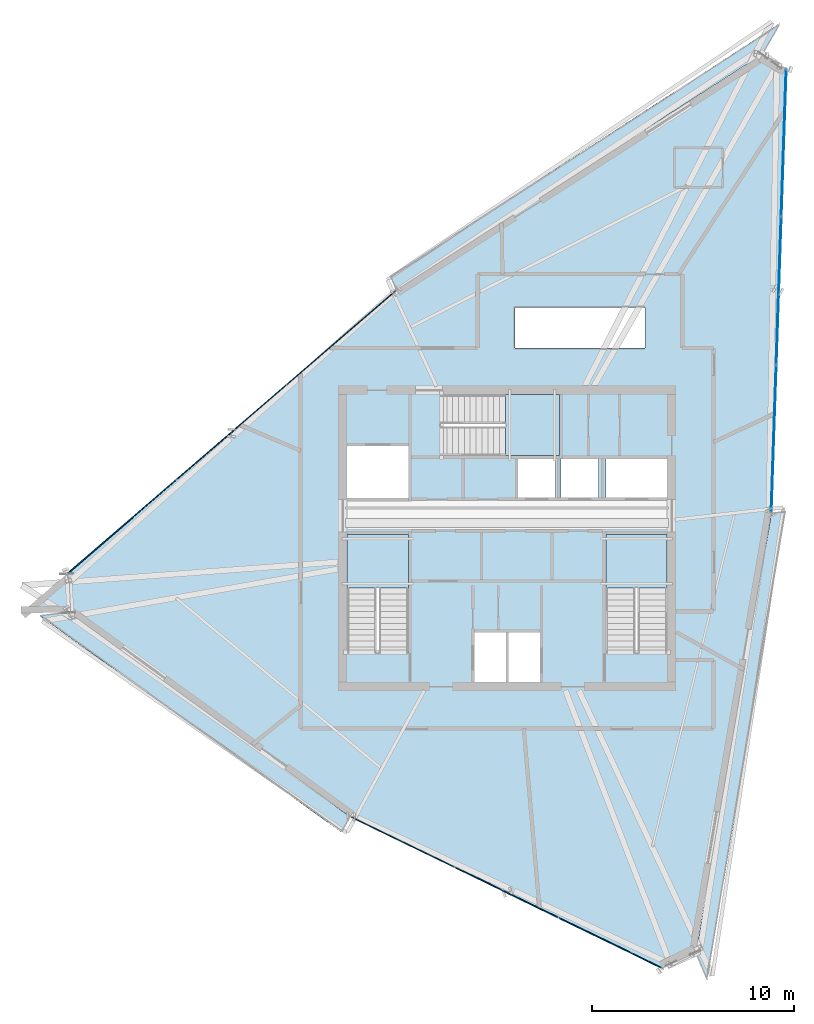
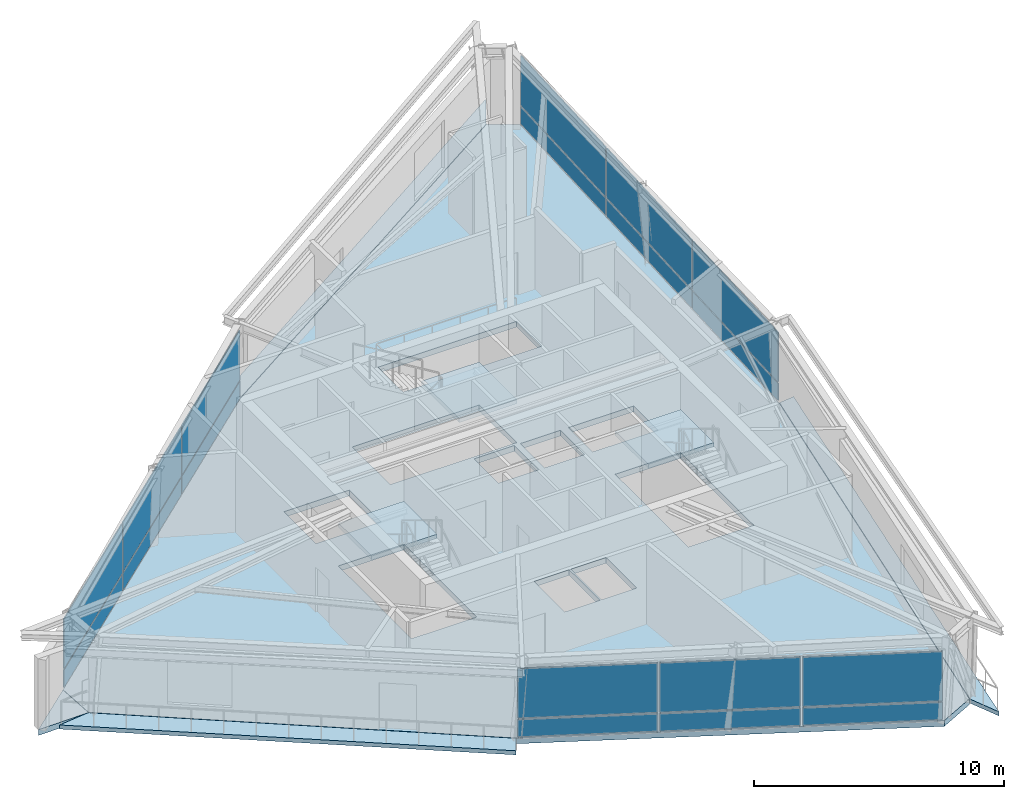
# One storey, part 14 of 22: 18 plates, 8 slabs, 6 elements without a shape of their own.
"""IFC4 building model written with IfcOpenShell, lengths in metres."""

from ifc_helpers import new_model, si_unit, direction, frame, origin, origin_2d, place, context, subcontext, project, spatial, polyline, rectangle, outline, extrude, source, transform, mapped, material, layer, layer_set, type_object, element, aggregate, save


model = new_model("IFC4")

# Units and contexts
model_context = context("Model", 3, precision=1e-05, world=origin(), true_north=direction((0.0, 1.0)))
body_context = subcontext(model_context, "Body", "Model", "MODEL_VIEW")
ifc_project = project(units=[si_unit("LENGTHUNIT", "METRE"), si_unit("AREAUNIT", "SQUARE_METRE"), si_unit("VOLUMEUNIT", "CUBIC_METRE"), si_unit("PLANEANGLEUNIT", "RADIAN"), si_unit("MASSUNIT", "GRAM", prefix="KILO")], contexts=[model_context])

# Site, building, storey
site_placement = place(None, origin())
site = spatial("IfcSite", under=ifc_project, at=site_placement, CompositionType="ELEMENT")
building_placement = place(site_placement, origin())
building = spatial("IfcBuilding", under=site, at=building_placement, Name="Olszyna Solenne Hotel", CompositionType="ELEMENT")
storey_placement = place(building_placement, frame((0.0, 0.0, 281.89990234375)))
storey = spatial("IfcBuildingStorey", under=building, at=storey_placement, Name="L75", CompositionType="ELEMENT", Elevation=281.89990234375)

# Stair, slab
ifc_material_1 = material(Name="Concrete C40/50", Category="concrete")
stair_type = type_object("IfcStairType", Name="STR-C1", PredefinedType="TWO_QUARTER_WINDING_STAIR", material=ifc_material_1)
stair_1_placement = place(storey_placement, origin())
stair_1 = element("IfcStair", 1, at=stair_1_placement, inside=storey, type_object=stair_type, Name="L75 ST1", PredefinedType="TWO_QUARTER_WINDING_STAIR")
ifc_layer_1 = layer(ifc_material_1, 0.18994140625, Name="Concrete C40/50")
ifc_layer_set_1 = layer_set([ifc_layer_1], Name="Concrete C40/50")
slab_type_1 = type_object("IfcSlabType", Name="SL-LN190", PredefinedType="LANDING", material=ifc_layer_set_1)
slab_1_placement = place(storey_placement, frame((0.0, 0.0, 1.900146484375)))
slab_1 = element("IfcSlab", 2, at=slab_1_placement, type_object=slab_type_1, Name="ST1 landing 1", PredefinedType="LANDING", context=body_context, shape_type="SweptSolid", body=[
    extrude(outline(polyline([(33.1201171875, 24.139892578125), (33.1201171875, 26.800048828125), (30.10009765625, 26.800048828125), (30.10009765625, 24.139892578125), (33.1201171875, 24.139892578125)])), origin(), (0.0, 0.0, 1.0), 0.199951171875),
])
aggregate(stair_1, [slab_1])

stair_2_placement = place(storey_placement, origin())
stair_2 = element("IfcStair", 3, at=stair_2_placement, inside=storey, type_object=stair_type, Name="L75 ST2", PredefinedType="TWO_QUARTER_WINDING_STAIR")
slab_2_placement = place(storey_placement, frame((0.0, 0.0, 1.900146484375)))
slab_2 = element("IfcSlab", 4, at=slab_2_placement, type_object=slab_type_1, Name="ST2 landing 1", PredefinedType="LANDING", context=body_context, shape_type="SweptSolid", body=[
    extrude(outline(polyline([(45.89990234375, 24.139892578125), (45.89990234375, 26.800048828125), (42.8798828125, 26.800048828125), (42.8798828125, 24.139892578125), (45.89990234375, 24.139892578125)])), origin(), (0.0, 0.0, 1.0), 0.199951171875),
])
aggregate(stair_2, [slab_2])

stair_3_placement = place(storey_placement, origin())
stair_3 = element("IfcStair", 5, at=stair_3_placement, inside=storey, type_object=stair_type, Name="L75 ST3", PredefinedType="TWO_QUARTER_WINDING_STAIR")
slab_3_placement = place(storey_placement, frame((0.0, 0.0, 1.900146484375)))
slab_3 = element("IfcSlab", 6, at=slab_3_placement, type_object=slab_type_1, Name="ST3 landing 1", PredefinedType="LANDING", context=body_context, shape_type="SweptSolid", body=[
    extrude(outline(polyline([(37.919921875, 30.679931640625), (40.580078125, 30.679931640625), (40.580078125, 33.699951171875), (37.919921875, 33.699951171875), (37.919921875, 30.679931640625)])), origin(), (0.0, 0.0, 1.0), 0.199951171875),
])
aggregate(stair_3, [slab_3])

# Slabs
ifc_material_2 = material(Name="Precast concrete C45/55", Category="concrete")
ifc_layer_2 = layer(ifc_material_2, 0.199951171875, Name="Precast concrete C45/55")
ifc_layer_set_2 = layer_set([ifc_layer_2], Name="Precast concrete C45/55")
slab_type_2 = type_object("IfcSlabType", Name="SL-LOG200", PredefinedType="FLOOR", material=ifc_layer_set_2)
slab_4_placement = place(storey_placement, frame((0.0, 0.0, -0.199951171875)))
element("IfcSlab", 7, at=slab_4_placement, inside=storey, type_object=slab_type_2, Name="Exterior loggia balcony slab SL-L75-LG1", PredefinedType="FLOOR", context=body_context, shape_type="SweptSolid", body=[
    extrude(outline(polyline([(32.52490234375, 38.875244140625), (50.59521484375, 50.498779296875), (50.596435546875, 50.49951171875), (50.597900390625, 50.5), (50.59912109375, 50.50048828125), (50.6005859375, 50.5009765625), (50.60205078125, 50.501220703125), (50.603515625, 50.501220703125), (50.60498046875, 50.5009765625), (50.606689453125, 50.500732421875), (50.60791015625, 50.500244140625), (50.609375, 50.499755859375), (50.610595703125, 50.499267578125), (51.474365234375, 52.03955078125), (32.24560546875, 39.551025390625), (32.52490234375, 38.875244140625)])), origin(), (0.0, 0.0, 1.0), 0.199951171875),
])
slab_5_placement = place(storey_placement, frame((0.0, 0.0, -0.199951171875)))
element("IfcSlab", 8, at=slab_5_placement, inside=storey, type_object=slab_type_2, Name="Exterior loggia balcony slab SL-L75-LG2", PredefinedType="FLOOR", context=body_context, shape_type="SweptSolid", body=[
    extrude(outline(polyline([(30.24072265625, 12.850341796875), (30.240234375, 12.8505859375), (30.2392578125, 12.851318359375), (16.343994140625, 22.931884765625), (16.203125, 22.92919921875), (14.907470703125, 22.7734375), (29.8125, 12.086669921875), (30.24072265625, 12.850341796875)])), origin(), (0.0, 0.0, 1.0), 0.199951171875),
])
slab_6_placement = place(storey_placement, frame((0.0, 0.0, -0.199951171875)))
element("IfcSlab", 9, at=slab_6_placement, inside=storey, type_object=slab_type_2, Name="Exterior loggia balcony slab SL-L75-LG3", PredefinedType="FLOOR", context=body_context, shape_type="SweptSolid", body=[
    extrude(outline(polyline([(51.0595703125, 27.839599609375), (51.059326171875, 27.83740234375), (51.05908203125, 27.83544921875), (47.330810546875, 6.164794921875), (47.33056640625, 6.163330078125), (47.330078125, 6.161865234375), (47.32958984375, 6.16064453125), (47.328857421875, 6.159423828125), (47.328125, 6.158203125), (47.327392578125, 6.1572265625), (47.326416015625, 6.15625), (47.3251953125, 6.1552734375), (47.323974609375, 6.154541015625), (47.32275390625, 6.15380859375), (47.32177734375, 6.1533203125), (47.886474609375, 4.787353515625), (51.76513671875, 27.9248046875), (51.0595703125, 27.839599609375)])), origin(), (0.0, 0.0, 1.0), 0.199951171875),
])
ifc_material_3 = material(Name="Concrete C50/60", Category="concrete")
ifc_layer_3 = layer(ifc_material_3, 0.280029296875, Name="Concrete C50/60")
ifc_layer_set_3 = layer_set([ifc_layer_3], Name="Concrete C50/60")
slab_type_3 = type_object("IfcSlabType", Name="SL-OB280", PredefinedType="FLOOR", material=ifc_layer_set_3)
slab_7_placement = place(storey_placement, frame((0.0, 0.0, -0.27978515625)))
element("IfcSlab", 10, at=slab_7_placement, inside=storey, type_object=slab_type_3, Name="Floor slab SL-OB280 SL-L75-01", PredefinedType="FLOOR", context=body_context, shape_type="SweptSolid", body=[
    extrude(outline(polyline([(51.788330078125, 49.814208984375), (50.603271484375, 50.486083984375), (32.53076171875, 38.861083984375), (16.25341796875, 24.83251953125), (16.348876953125, 22.947021484375), (30.248046875, 12.863525390625), (45.68994140625, 5.352783203125), (47.316162109375, 6.167236328125), (51.04443359375, 27.837890625), (51.788330078125, 49.814208984375)]), holes=[polyline([(30.10009765625, 20.949951171875), (33.1201171875, 20.949951171875), (33.1201171875, 26.800048828125), (30.10009765625, 26.800048828125), (30.10009765625, 20.949951171875)]), polyline([(42.8798828125, 20.949951171875), (45.89990234375, 20.949951171875), (45.89990234375, 26.800048828125), (42.8798828125, 26.800048828125), (42.8798828125, 20.949951171875)]), polyline([(34.72998046875, 30.679931640625), (40.580078125, 30.679931640625), (40.580078125, 33.699951171875), (34.72998046875, 33.699951171875), (34.72998046875, 30.679931640625)]), polyline([(36.340087890625, 19.5), (37.9599609375, 19.5), (37.9599609375, 21.9599609375), (36.340087890625, 21.9599609375), (36.340087890625, 19.5)]), polyline([(38.0400390625, 19.5), (39.659912109375, 19.5), (39.659912109375, 21.9599609375), (38.0400390625, 21.9599609375), (38.0400390625, 19.5)]), polyline([(30.10009765625, 28.60009765625), (33.1201171875, 28.60009765625), (33.1201171875, 31.159912109375), (30.10009765625, 31.159912109375), (30.10009765625, 28.60009765625)]), polyline([(38.530029296875, 28.60009765625), (40.389892578125, 28.60009765625), (40.389892578125, 30.550048828125), (38.530029296875, 30.550048828125), (38.530029296875, 28.60009765625)]), polyline([(40.659912109375, 28.60009765625), (42.52001953125, 28.60009765625), (42.52001953125, 30.550048828125), (40.659912109375, 30.550048828125), (40.659912109375, 28.60009765625)]), polyline([(42.8798828125, 28.60009765625), (45.89990234375, 28.60009765625), (45.89990234375, 30.550048828125), (42.8798828125, 30.550048828125), (42.8798828125, 28.60009765625)]), polyline([(38.39990234375, 36.0), (44.800048828125, 36.0), (44.800048828125, 38.0), (38.39990234375, 38.0), (38.39990234375, 36.0)])]), origin(), (0.0, 0.0, 1.0), 0.27978515625),
])
slab_8_placement = place(storey_placement, frame((0.0, 0.0, -0.27978515625)))
element("IfcSlab", 11, at=slab_8_placement, inside=storey, type_object=slab_type_3, Name="Faceted glass-prism floor slab SL-L75-PR", PredefinedType="FLOOR", context=body_context, shape_type="SweptSolid", body=[
    extrude(outline(polyline([(16.3388671875, 22.94677734375), (16.24365234375, 24.82421875), (13.998046875, 22.90576171875), (16.3388671875, 22.94677734375)])), origin(), (0.0, 0.0, 1.0), 0.27978515625),
])

# Curtain wall, plates
ifc_material_4 = material(Name="Anodised bronze aluminium", Category="aluminium")
curtain_wall_type = type_object("IfcCurtainWallType", Name="CW-SYS-7", PredefinedType="NOTDEFINED", material=ifc_material_4)
curtain_wall_1_placement = place(storey_placement, origin())
curtain_wall_1 = element("IfcCurtainWall", 12, at=curtain_wall_1_placement, inside=storey, type_object=curtain_wall_type, Name="Unitised curtain wall CW-SYS-7 CW-L75-01", PredefinedType="NOTDEFINED")
ifc_material_5 = material(Name="Terracotta cladding", Category="masonry")
plate_type_1 = type_object("IfcPlateType", Name="PN-SP1", PredefinedType="CURTAIN_PANEL", material=ifc_material_5)
shared_shape_1 = source(origin(), body_context, "Body", "SweptSolid", [
    extrude(rectangle(XDim=5.62646484375, YDim=0.048095703125, at=origin_2d()), origin(), (0.0, 0.0, 1.0), 0.8525390625),
])
plate_1_placement = place(storey_placement, frame((32.836181640625, 11.604736328125, 0.065185546875), z_axis=(0.0, 0.0, 1.0), x_axis=(0.899273473528, -0.437386807996, 0.0)))
plate_1 = element("IfcPlate", 13, at=plate_1_placement, type_object=plate_type_1, Name="Curtain-wall panel PN-SP1 CP-L75-01-01", PredefinedType="CURTAIN_PANEL", context=body_context, shape_type="MappedRepresentation", body=[
    mapped(shared_shape_1, transform((0.0, 0.0, 0.0), x_axis=(1.0, 0.0, 0.0), y_axis=(0.0, 1.0, 0.0), z_axis=(0.0, 0.0, 1.0), scale=1.0)),
])
plate_2_placement = place(storey_placement, frame((43.1015625, 6.61181640625, 0.065185546875), z_axis=(0.0, 0.0, 1.0), x_axis=(0.899273473528, -0.437386807996, 0.0)))
plate_2 = element("IfcPlate", 14, at=plate_2_placement, type_object=plate_type_1, Name="Curtain-wall panel PN-SP1 CP-L75-01-05", PredefinedType="CURTAIN_PANEL", context=body_context, shape_type="MappedRepresentation", body=[
    mapped(shared_shape_1, transform((0.0, 0.0, 0.0), x_axis=(1.0, 0.0, 0.0), y_axis=(0.0, 1.0, 0.0), z_axis=(0.0, 0.0, 1.0), scale=1.0)),
])
ifc_material_6 = material(Name="Low-E triple glazing", Category="glass")
plate_type_2 = type_object("IfcPlateType", Name="PN-GL2", PredefinedType="CURTAIN_PANEL", material=ifc_material_6)
shared_shape_2 = source(origin(), body_context, "Body", "SweptSolid", [
    extrude(rectangle(XDim=5.62646484375, YDim=0.048095703125, at=origin_2d()), origin(), (0.0, 0.0, 1.0), 2.41455078125),
])
plate_3_placement = place(storey_placement, frame((32.836181640625, 11.604736328125, 0.982666015625), z_axis=(0.0, 0.0, 1.0), x_axis=(0.899273473528, -0.437386807996, 0.0)))
plate_3 = element("IfcPlate", 15, at=plate_3_placement, type_object=plate_type_2, Name="Curtain-wall panel PN-GL2 CP-L75-01-02", PredefinedType="CURTAIN_PANEL", context=body_context, shape_type="MappedRepresentation", body=[
    mapped(shared_shape_2, transform((0.0, 0.0, 0.0), x_axis=(1.0, 0.0, 0.0), y_axis=(0.0, 1.0, 0.0), z_axis=(0.0, 0.0, 1.0), scale=1.0)),
])
plate_4_placement = place(storey_placement, frame((43.1015625, 6.61181640625, 0.982666015625), z_axis=(0.0, 0.0, 1.0), x_axis=(0.899273473528, -0.437386807996, 0.0)))
plate_4 = element("IfcPlate", 16, at=plate_4_placement, type_object=plate_type_2, Name="Curtain-wall panel PN-GL2 CP-L75-01-06", PredefinedType="CURTAIN_PANEL", context=body_context, shape_type="MappedRepresentation", body=[
    mapped(shared_shape_2, transform((0.0, 0.0, 0.0), x_axis=(1.0, 0.0, 0.0), y_axis=(0.0, 1.0, 0.0), z_axis=(0.0, 0.0, 1.0), scale=1.0)),
])
shared_shape_3 = source(origin(), body_context, "Body", "SweptSolid", [
    extrude(rectangle(XDim=5.658935546875, YDim=0.048095703125, at=origin_2d()), origin(), (0.0, 0.0, 1.0), 0.8525390625),
])
plate_5_placement = place(storey_placement, frame((37.968994140625, 9.108154296875, 0.065185546875), z_axis=(0.0, 0.0, 1.0), x_axis=(0.899273473528, -0.437386807996, 0.0)))
plate_5 = element("IfcPlate", 17, at=plate_5_placement, type_object=plate_type_1, Name="Curtain-wall panel PN-SP1 CP-L75-01-03", PredefinedType="CURTAIN_PANEL", context=body_context, shape_type="MappedRepresentation", body=[
    mapped(shared_shape_3, transform((0.0, 0.0, 0.0), x_axis=(1.0, 0.0, 0.0), y_axis=(0.0, 1.0, 0.0), z_axis=(0.0, 0.0, 1.0), scale=1.0)),
])
shared_shape_4 = source(origin(), body_context, "Body", "SweptSolid", [
    extrude(rectangle(XDim=5.658935546875, YDim=0.048095703125, at=origin_2d()), origin(), (0.0, 0.0, 1.0), 2.41455078125),
])
plate_6_placement = place(storey_placement, frame((37.968994140625, 9.108154296875, 0.982666015625), z_axis=(0.0, 0.0, 1.0), x_axis=(0.899273473528, -0.437386807996, 0.0)))
plate_6 = element("IfcPlate", 18, at=plate_6_placement, type_object=plate_type_2, Name="Curtain-wall panel PN-GL2 CP-L75-01-04", PredefinedType="CURTAIN_PANEL", context=body_context, shape_type="MappedRepresentation", body=[
    mapped(shared_shape_4, transform((0.0, 0.0, 0.0), x_axis=(1.0, 0.0, 0.0), y_axis=(0.0, 1.0, 0.0), z_axis=(0.0, 0.0, 1.0), scale=1.0)),
])
aggregate(curtain_wall_1, [plate_1, plate_3, plate_5, plate_6, plate_2, plate_4])

curtain_wall_2_placement = place(storey_placement, origin())
curtain_wall_2 = element("IfcCurtainWall", 19, at=curtain_wall_2_placement, inside=storey, type_object=curtain_wall_type, Name="Unitised curtain wall CW-SYS-7 CW-L75-02", PredefinedType="NOTDEFINED")
shared_shape_5 = source(origin(), body_context, "Body", "SweptSolid", [
    extrude(rectangle(XDim=7.0654296875, YDim=0.048095703125, at=origin_2d()), origin(), (0.0, 0.0, 1.0), 0.8525390625),
])
plate_7_placement = place(storey_placement, frame((18.978515625, 27.18115234375, 0.065185546875), z_axis=(0.0, 0.0, 1.0), x_axis=(0.757495742606, 0.652840102884, 0.0)))
plate_7 = element("IfcPlate", 20, at=plate_7_placement, type_object=plate_type_1, Name="Curtain-wall panel PN-SP1 CP-L75-02-01", PredefinedType="CURTAIN_PANEL", context=body_context, shape_type="MappedRepresentation", body=[
    mapped(shared_shape_5, transform((0.0, 0.0, 0.0), x_axis=(1.0, 0.0, 0.0), y_axis=(0.0, 1.0, 0.0), z_axis=(0.0, 0.0, 1.0), scale=1.0)),
])
plate_8_placement = place(storey_placement, frame((29.8056640625, 36.512451171875, 0.065185546875), z_axis=(0.0, 0.0, 1.0), x_axis=(0.757495742606, 0.652840102884, 0.0)))
plate_8 = element("IfcPlate", 21, at=plate_8_placement, type_object=plate_type_1, Name="Curtain-wall panel PN-SP1 CP-L75-02-05", PredefinedType="CURTAIN_PANEL", context=body_context, shape_type="MappedRepresentation", body=[
    mapped(shared_shape_5, transform((0.0, 0.0, 0.0), x_axis=(1.0, 0.0, 0.0), y_axis=(0.0, 1.0, 0.0), z_axis=(0.0, 0.0, 1.0), scale=1.0)),
])
shared_shape_6 = source(origin(), body_context, "Body", "SweptSolid", [
    extrude(rectangle(XDim=7.0654296875, YDim=0.048095703125, at=origin_2d()), origin(), (0.0, 0.0, 1.0), 2.41455078125),
])
plate_9_placement = place(storey_placement, frame((18.978515625, 27.18115234375, 0.982666015625), z_axis=(0.0, 0.0, 1.0), x_axis=(0.757495742606, 0.652840102884, 0.0)))
plate_9 = element("IfcPlate", 22, at=plate_9_placement, type_object=plate_type_2, Name="Curtain-wall panel PN-GL2 CP-L75-02-02", PredefinedType="CURTAIN_PANEL", context=body_context, shape_type="MappedRepresentation", body=[
    mapped(shared_shape_6, transform((0.0, 0.0, 0.0), x_axis=(1.0, 0.0, 0.0), y_axis=(0.0, 1.0, 0.0), z_axis=(0.0, 0.0, 1.0), scale=1.0)),
])
plate_10_placement = place(storey_placement, frame((29.8056640625, 36.512451171875, 0.982666015625), z_axis=(0.0, 0.0, 1.0), x_axis=(0.757495742606, 0.652840102884, 0.0)))
plate_10 = element("IfcPlate", 23, at=plate_10_placement, type_object=plate_type_2, Name="Curtain-wall panel PN-GL2 CP-L75-02-06", PredefinedType="CURTAIN_PANEL", context=body_context, shape_type="MappedRepresentation", body=[
    mapped(shared_shape_6, transform((0.0, 0.0, 0.0), x_axis=(1.0, 0.0, 0.0), y_axis=(0.0, 1.0, 0.0), z_axis=(0.0, 0.0, 1.0), scale=1.0)),
])
shared_shape_7 = source(origin(), body_context, "Body", "SweptSolid", [
    extrude(rectangle(XDim=7.097900390625, YDim=0.048095703125, at=origin_2d()), origin(), (0.0, 0.0, 1.0), 0.8525390625),
])
plate_11_placement = place(storey_placement, frame((24.39208984375, 31.8466796875, 0.065185546875), z_axis=(0.0, 0.0, 1.0), x_axis=(0.757495742606, 0.652840102884, 0.0)))
plate_11 = element("IfcPlate", 24, at=plate_11_placement, type_object=plate_type_1, Name="Curtain-wall panel PN-SP1 CP-L75-02-03", PredefinedType="CURTAIN_PANEL", context=body_context, shape_type="MappedRepresentation", body=[
    mapped(shared_shape_7, transform((0.0, 0.0, 0.0), x_axis=(1.0, 0.0, 0.0), y_axis=(0.0, 1.0, 0.0), z_axis=(0.0, 0.0, 1.0), scale=1.0)),
])
shared_shape_8 = source(origin(), body_context, "Body", "SweptSolid", [
    extrude(rectangle(XDim=7.097900390625, YDim=0.048095703125, at=origin_2d()), origin(), (0.0, 0.0, 1.0), 2.41455078125),
])
plate_12_placement = place(storey_placement, frame((24.39208984375, 31.8466796875, 0.982666015625), z_axis=(0.0, 0.0, 1.0), x_axis=(0.757495742606, 0.652840102884, 0.0)))
plate_12 = element("IfcPlate", 25, at=plate_12_placement, type_object=plate_type_2, Name="Curtain-wall panel PN-GL2 CP-L75-02-04", PredefinedType="CURTAIN_PANEL", context=body_context, shape_type="MappedRepresentation", body=[
    mapped(shared_shape_8, transform((0.0, 0.0, 0.0), x_axis=(1.0, 0.0, 0.0), y_axis=(0.0, 1.0, 0.0), z_axis=(0.0, 0.0, 1.0), scale=1.0)),
])
aggregate(curtain_wall_2, [plate_7, plate_9, plate_11, plate_12, plate_8, plate_10])

curtain_wall_3_placement = place(storey_placement, origin())
curtain_wall_3 = element("IfcCurtainWall", 26, at=curtain_wall_3_placement, inside=storey, type_object=curtain_wall_type, Name="Unitised curtain wall CW-SYS-7 CW-L75-03", PredefinedType="NOTDEFINED")
shared_shape_9 = source(origin(), body_context, "Body", "SweptSolid", [
    extrude(rectangle(XDim=7.232177734375, YDim=0.048095703125, at=origin_2d()), origin(), (0.0, 0.0, 1.0), 0.8525390625),
])
plate_13_placement = place(storey_placement, frame((51.1689453125, 31.516845703125, 0.065185546875), z_axis=(0.0, 0.0, 1.0), x_axis=(0.033835114337, 0.9994274286, 0.0)))
plate_13 = element("IfcPlate", 27, at=plate_13_placement, type_object=plate_type_1, Name="Curtain-wall panel PN-SP1 CP-L75-03-01", PredefinedType="CURTAIN_PANEL", context=body_context, shape_type="MappedRepresentation", body=[
    mapped(shared_shape_9, transform((0.0, 0.0, 0.0), x_axis=(1.0, 0.0, 0.0), y_axis=(0.0, 1.0, 0.0), z_axis=(0.0, 0.0, 1.0), scale=1.0)),
])
plate_14_placement = place(storey_placement, frame((51.663818359375, 46.13525390625, 0.065185546875), z_axis=(0.0, 0.0, 1.0), x_axis=(0.033835114337, 0.9994274286, 0.0)))
plate_14 = element("IfcPlate", 28, at=plate_14_placement, type_object=plate_type_1, Name="Curtain-wall panel PN-SP1 CP-L75-03-05", PredefinedType="CURTAIN_PANEL", context=body_context, shape_type="MappedRepresentation", body=[
    mapped(shared_shape_9, transform((0.0, 0.0, 0.0), x_axis=(1.0, 0.0, 0.0), y_axis=(0.0, 1.0, 0.0), z_axis=(0.0, 0.0, 1.0), scale=1.0)),
])
shared_shape_10 = source(origin(), body_context, "Body", "SweptSolid", [
    extrude(rectangle(XDim=7.232177734375, YDim=0.048095703125, at=origin_2d()), origin(), (0.0, 0.0, 1.0), 2.41455078125),
])
plate_15_placement = place(storey_placement, frame((51.1689453125, 31.516845703125, 0.982666015625), z_axis=(0.0, 0.0, 1.0), x_axis=(0.033835114337, 0.9994274286, 0.0)))
plate_15 = element("IfcPlate", 29, at=plate_15_placement, type_object=plate_type_2, Name="Curtain-wall panel PN-GL2 CP-L75-03-02", PredefinedType="CURTAIN_PANEL", context=body_context, shape_type="MappedRepresentation", body=[
    mapped(shared_shape_10, transform((0.0, 0.0, 0.0), x_axis=(1.0, 0.0, 0.0), y_axis=(0.0, 1.0, 0.0), z_axis=(0.0, 0.0, 1.0), scale=1.0)),
])
plate_16_placement = place(storey_placement, frame((51.663818359375, 46.13525390625, 0.982666015625), z_axis=(0.0, 0.0, 1.0), x_axis=(0.033835114337, 0.9994274286, 0.0)))
plate_16 = element("IfcPlate", 30, at=plate_16_placement, type_object=plate_type_2, Name="Curtain-wall panel PN-GL2 CP-L75-03-06", PredefinedType="CURTAIN_PANEL", context=body_context, shape_type="MappedRepresentation", body=[
    mapped(shared_shape_10, transform((0.0, 0.0, 0.0), x_axis=(1.0, 0.0, 0.0), y_axis=(0.0, 1.0, 0.0), z_axis=(0.0, 0.0, 1.0), scale=1.0)),
])
shared_shape_11 = source(origin(), body_context, "Body", "SweptSolid", [
    extrude(rectangle(XDim=7.2646484375, YDim=0.048095703125, at=origin_2d()), origin(), (0.0, 0.0, 1.0), 0.8525390625),
])
plate_17_placement = place(storey_placement, frame((51.41650390625, 38.826171875, 0.065185546875), z_axis=(0.0, 0.0, 1.0), x_axis=(0.033835114337, 0.9994274286, 0.0)))
plate_17 = element("IfcPlate", 31, at=plate_17_placement, type_object=plate_type_1, Name="Curtain-wall panel PN-SP1 CP-L75-03-03", PredefinedType="CURTAIN_PANEL", context=body_context, shape_type="MappedRepresentation", body=[
    mapped(shared_shape_11, transform((0.0, 0.0, 0.0), x_axis=(1.0, 0.0, 0.0), y_axis=(0.0, 1.0, 0.0), z_axis=(0.0, 0.0, 1.0), scale=1.0)),
])
shared_shape_12 = source(origin(), body_context, "Body", "SweptSolid", [
    extrude(rectangle(XDim=7.2646484375, YDim=0.048095703125, at=origin_2d()), origin(), (0.0, 0.0, 1.0), 2.41455078125),
])
plate_18_placement = place(storey_placement, frame((51.41650390625, 38.826171875, 0.982666015625), z_axis=(0.0, 0.0, 1.0), x_axis=(0.033835114337, 0.9994274286, 0.0)))
plate_18 = element("IfcPlate", 32, at=plate_18_placement, type_object=plate_type_2, Name="Curtain-wall panel PN-GL2 CP-L75-03-04", PredefinedType="CURTAIN_PANEL", context=body_context, shape_type="MappedRepresentation", body=[
    mapped(shared_shape_12, transform((0.0, 0.0, 0.0), x_axis=(1.0, 0.0, 0.0), y_axis=(0.0, 1.0, 0.0), z_axis=(0.0, 0.0, 1.0), scale=1.0)),
])
aggregate(curtain_wall_3, [plate_13, plate_15, plate_17, plate_18, plate_14, plate_16])

save(model, "model.ifc")
